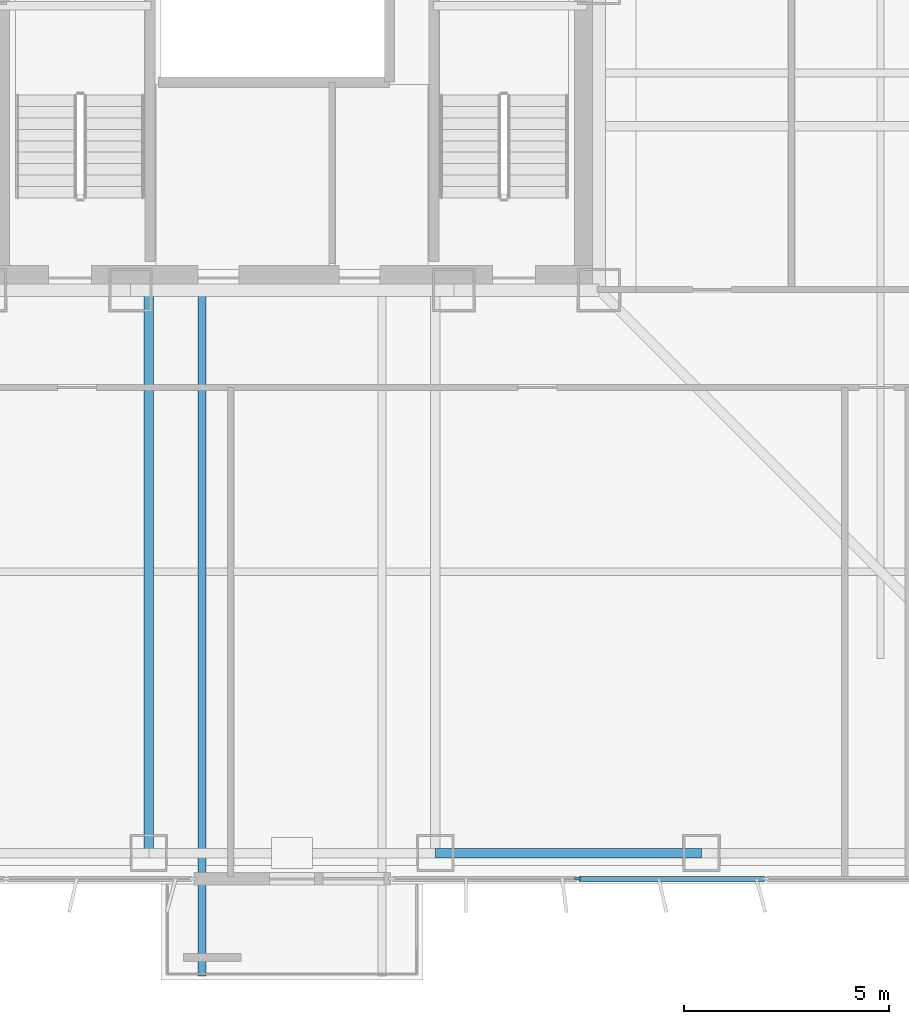
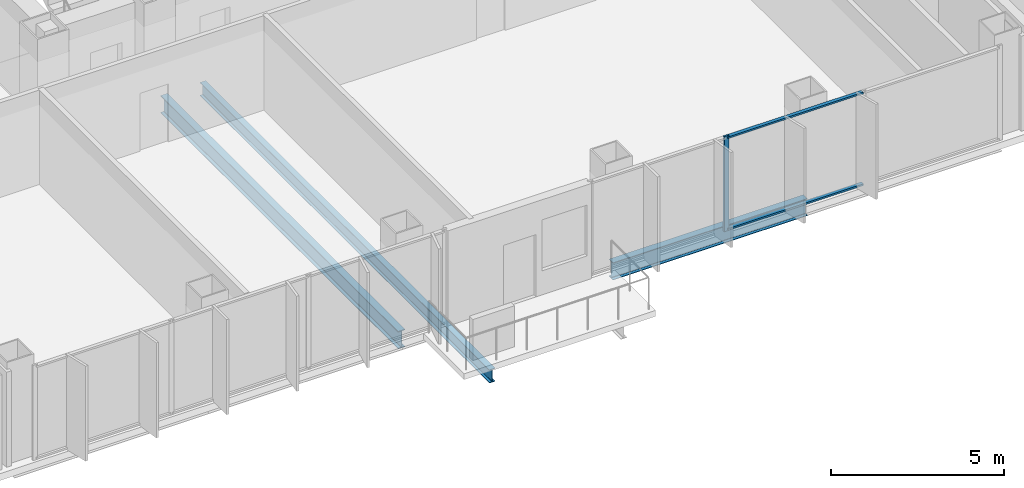
# One storey, part 3 of 18: 3 beams, 3 members, 1 element without a shape of its own.
"""IFC4 building model written with IfcOpenShell, lengths in metres."""

from ifc_helpers import new_model, si_unit, direction, frame, origin, origin_2d, place, context, subcontext, project, spatial, rectangle, i_section, extrude, material, layer, layer_set, material_profile, profile_set, type_object, element, aggregate, save


model = new_model("IFC4")

# Units and contexts
model_context = context("Model", 3, precision=1e-05, world=origin(), true_north=direction((0.0, 1.0)))
body_context = subcontext(model_context, "Body", "Model", "MODEL_VIEW")
ifc_project = project(units=[si_unit("LENGTHUNIT", "METRE"), si_unit("AREAUNIT", "SQUARE_METRE"), si_unit("VOLUMEUNIT", "CUBIC_METRE"), si_unit("PLANEANGLEUNIT", "RADIAN"), si_unit("MASSUNIT", "GRAM", prefix="KILO")], contexts=[model_context])

# Site, building, storey
site_placement = place(None, origin())
site = spatial("IfcSite", under=ifc_project, at=site_placement, CompositionType="ELEMENT")
building_placement = place(site_placement, origin())
building = spatial("IfcBuilding", under=site, at=building_placement, Name="Trevonay Congress Spire", CompositionType="ELEMENT")
storey_placement = place(building_placement, frame((0.0, 0.0, 104.800048828125)))
storey = spatial("IfcBuildingStorey", under=building, at=storey_placement, Name="L26", CompositionType="ELEMENT", Elevation=104.800048828125)

# Beams
ifc_material_1 = material(Name="Steel ASTM A572 Grade 50", Category="steel")
ifc_material_profile_1 = material_profile(ifc_material_1, i_section(OverallWidth=0.194091796875, OverallDepth=0.468994140625, WebThickness=0.011474609375, FlangeThickness=0.01953125, FilletRadius=0.013916015625, at=origin_2d()), Name="W460x106")
ifc_profile_set_1 = profile_set([ifc_material_profile_1], Name="Steel ASTM A572 Grade 50")
beam_type_1 = type_object("IfcBeamType", Name="BM-BAL-LOOKOUT", PredefinedType="BEAM", material=ifc_profile_set_1)
beam_1_placement = place(storey_placement, frame((-2.199951171875, -7.5, -0.474609375), z_axis=(0.0, -1.0, 0.0), x_axis=(1.0, 0.0, 0.0)))
element("IfcBeam", 1, at=beam_1_placement, inside=storey, type_object=beam_type_1, Name="L26 structural beam LKT-L26-S1", PredefinedType="BEAM", context=body_context, shape_type="SweptSolid", body=[
    extrude(i_section(OverallWidth=0.194091796875, OverallDepth=0.468994140625, WebThickness=0.011474609375, FlangeThickness=0.01953125, FilletRadius=0.013916015625, at=origin_2d()), origin(), (0.0, 0.0, 1.0), 16.75),
])
ifc_material_profile_2 = material_profile(ifc_material_1, i_section(OverallWidth=0.22998046875, OverallDepth=0.616943359375, WebThickness=0.01318359375, FlangeThickness=0.022216796875, FilletRadius=0.01611328125, at=origin_2d()), Name="W610x140")
ifc_profile_set_2 = profile_set([ifc_material_profile_2], Name="Steel ASTM A572 Grade 50")
beam_type_2 = type_object("IfcBeamType", Name="BM-GIRD-W610X140", PredefinedType="BEAM", material=ifc_profile_set_2)
beam_2_placement = place(storey_placement, frame((-3.5, -7.5, -0.548583984375), z_axis=(0.0, -1.0, 0.0), x_axis=(1.0, 0.0, 0.0)))
element("IfcBeam", 2, at=beam_2_placement, inside=storey, type_object=beam_type_2, Name="L26 structural beam BM-L26-GS-M", PredefinedType="BEAM", context=body_context, shape_type="SweptSolid", body=[
    extrude(i_section(OverallWidth=0.22998046875, OverallDepth=0.616943359375, WebThickness=0.01318359375, FlangeThickness=0.022216796875, FilletRadius=0.01611328125, at=origin_2d()), origin(), (0.0, 0.0, 1.0), 13.75),
])
ifc_material_profile_3 = material_profile(ifc_material_1, i_section(OverallWidth=0.22802734375, OverallDepth=0.60791015625, WebThickness=0.01123046875, FlangeThickness=0.017333984375, FilletRadius=0.01611328125, at=origin_2d()), Name="W610x113")
ifc_profile_set_3 = profile_set([ifc_material_profile_3], Name="Steel ASTM A572 Grade 50")
beam_type_3 = type_object("IfcBeamType", Name="BM-RING-W610X113", PredefinedType="BEAM", material=ifc_profile_set_3)
beam_3_placement = place(storey_placement, frame((3.5, -21.25, -0.5439453125), z_axis=(1.0, 0.0, 0.0), x_axis=(0.0, 1.0, 0.0)))
element("IfcBeam", 3, at=beam_3_placement, inside=storey, type_object=beam_type_3, Name="L26 structural beam BM-L26-PS4", PredefinedType="BEAM", context=body_context, shape_type="SweptSolid", body=[
    extrude(i_section(OverallWidth=0.22802734375, OverallDepth=0.60791015625, WebThickness=0.01123046875, FlangeThickness=0.017333984375, FilletRadius=0.01611328125, at=origin_2d()), origin(), (0.0, 0.0, 1.0), 6.5),
])

# Curtain wall, members
ifc_material_2 = material(Name="Pale Anodised Aluminium EN AW-6063-T6", Category="aluminium")
ifc_layer = layer(ifc_material_2, 0.175048828125, Name="Pale Anodised Aluminium EN AW-6063-T6")
ifc_layer_set = layer_set([ifc_layer], Name="Pale Anodised Aluminium EN AW-6063-T6")
curtain_wall_type = type_object("IfcCurtainWallType", Name="CW-SYS03-CONGRESS-PALE-METAL", PredefinedType="NOTDEFINED", material=ifc_layer_set)
curtain_wall_placement = place(storey_placement, origin())
curtain_wall = element("IfcCurtainWall", 4, at=curtain_wall_placement, inside=storey, type_object=curtain_wall_type, Name="L26 SB unitised curtain wall", PredefinedType="NOTDEFINED")
ifc_material_profile_4 = material_profile(ifc_material_2, rectangle(XDim=0.06005859375, YDim=0.159912109375, at=origin_2d()), Name="CW-MULLION-160-ALUMINIUM")
ifc_profile_set_4 = profile_set([ifc_material_profile_4], Name="Pale Anodised Aluminium EN AW-6063-T6")
member_type_1 = type_object("IfcMemberType", Name="CW-MULLION-160-ALUMINIUM", PredefinedType="MULLION", material=ifc_profile_set_4)
member_1_placement = place(storey_placement, frame((6.9833984375, -21.8798828125, 0.0), z_axis=(0.0, 0.0, 1.0), x_axis=(0.0, 1.0, 0.0)))
member_1 = element("IfcMember", 5, at=member_1_placement, type_object=member_type_1, Name="CW03 mullion 2", PredefinedType="MULLION", context=body_context, shape_type="SweptSolid", body=[
    extrude(rectangle(XDim=0.06005859375, YDim=0.159912109375, at=origin_2d()), origin(), (0.0, 0.0, 1.0), 3.35986328125),
])
ifc_material_profile_5 = material_profile(ifc_material_2, rectangle(XDim=0.1201171875, YDim=0.06005859375, at=origin_2d()), Name="CW-TRANSOM-120-ALUMINIUM")
ifc_profile_set_5 = profile_set([ifc_material_profile_5], Name="Pale Anodised Aluminium EN AW-6063-T6")
member_type_2 = type_object("IfcMemberType", Name="CW-TRANSOM-120-ALUMINIUM", PredefinedType="USERDEFINED", material=ifc_profile_set_5)
member_2_placement = place(storey_placement, frame((7.013427734375, -21.8798828125, 0.06005859375), z_axis=(1.0, 0.0, 0.0), x_axis=(0.0, 1.0, 0.0)))
member_2 = element("IfcMember", 6, at=member_2_placement, type_object=member_type_2, Name="CW03 transom 2.1", ObjectType="TRANSOM", PredefinedType="USERDEFINED", context=body_context, shape_type="SweptSolid", body=[
    extrude(rectangle(XDim=0.1201171875, YDim=0.06005859375, at=origin_2d()), origin(), (0.0, 0.0, 1.0), 4.523193359375),
])
member_3_placement = place(storey_placement, frame((7.013427734375, -21.8798828125, 3.300048828125), z_axis=(1.0, 0.0, 0.0), x_axis=(0.0, 1.0, 0.0)))
member_3 = element("IfcMember", 7, at=member_3_placement, type_object=member_type_2, Name="CW03 transom 2.2", ObjectType="TRANSOM", PredefinedType="USERDEFINED", context=body_context, shape_type="SweptSolid", body=[
    extrude(rectangle(XDim=0.1201171875, YDim=0.06005859375, at=origin_2d()), origin(), (0.0, 0.0, 1.0), 4.523193359375),
])
aggregate(curtain_wall, [member_1, member_2, member_3])

save(model, "model.ifc")
